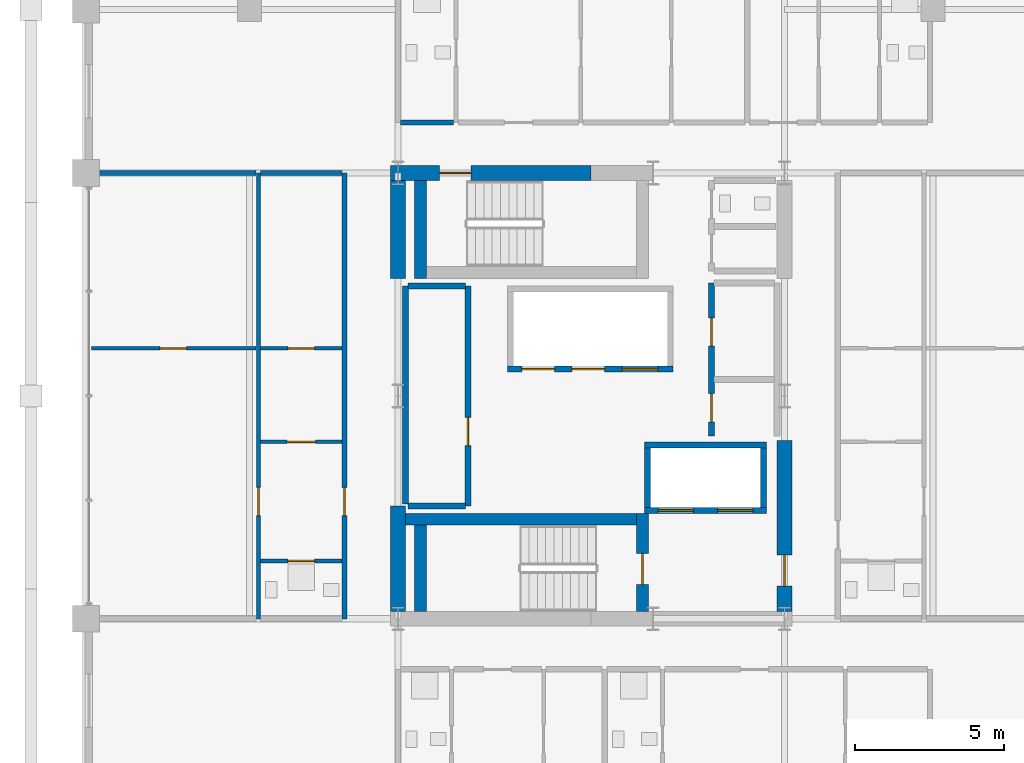
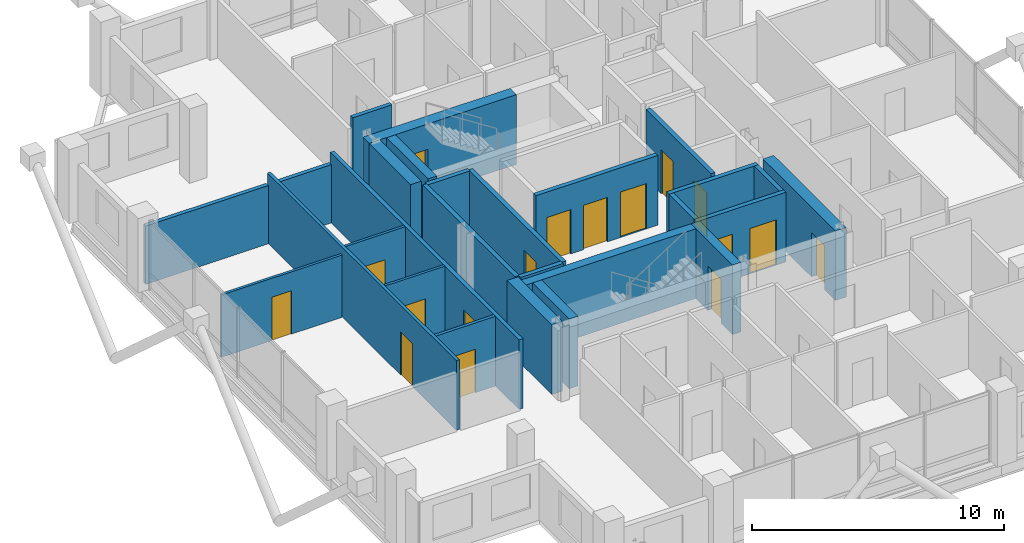
# One storey, part 19 of 24: 27 walls, 17 doors, 17 openings.
"""IFC4 building model written with IfcOpenShell, lengths in metres."""

import ifcopenshell
import ifcopenshell.guid

model = None  # the IFC model being written
_history = None  # IfcOwnerHistory: only IFC2X3 demands one
_inside = {}  # id of a spatial element -> (the spatial element, [elements in it])
_under = {}  # id of a project, library or spatial element -> (it, [spatial elements below it])
_declared = {}  # id of a project -> (the project, [libraries it declares])
_typed = {}  # id of a type object -> (the type object, [elements of that type])
_made_of = {}  # id of a material, layer set ... -> (it, [elements and type objects made of it])


def new_model(schema):
    """Start an empty IFC model of exactly this schema.

    Asked for "IFC4X3", IfcOpenShell would pick the latest addendum, in which some entities
    have other attributes; the version numbers below select the first issue.
    IFC2X3 requires an IfcOwnerHistory on every rooted entity: one is made here for all.
    """
    global model, _history
    if schema == "IFC4X3":
        model = ifcopenshell.file(schema_version=(4, 3, 0, 0))
    else:
        model = ifcopenshell.file(schema=schema)
    _inside.clear()
    _under.clear()
    _declared.clear()
    _typed.clear()
    _made_of.clear()
    _history = None
    if model.schema == "IFC2X3":
        org = make("IfcOrganization", Name="unknown")
        user = make(
            "IfcPersonAndOrganization",
            ThePerson=make("IfcPerson", FamilyName="unknown"),
            TheOrganization=org,
        )
        app = make(
            "IfcApplication",
            ApplicationDeveloper=org,
            Version="unknown",
            ApplicationFullName="unknown",
            ApplicationIdentifier="unknown",
        )
        _history = make(
            "IfcOwnerHistory",
            OwningUser=user,
            OwningApplication=app,
            ChangeAction="ADDED",
            CreationDate=0,
        )
    return model


def make(cls, **values):
    """One entity of the class cls with the attributes given. An attribute that is None is left unset."""
    return model.create_entity(
        cls, **{name: value for name, value in values.items() if value is not None}
    )


def rooted(cls, **values):
    """An entity with a GlobalId (a new one), such as an element, a storey or a relation."""
    return make(cls, GlobalId=ifcopenshell.guid.new(), OwnerHistory=_history, **values)


def si_unit(unit_type, name, prefix=None):
    """IfcSIUnit, for example si_unit("LENGTHUNIT", "METRE", prefix="MILLI")."""
    return make("IfcSIUnit", UnitType=unit_type, Prefix=prefix, Name=name)


def assignment(units):
    """IfcUnitAssignment: the units of a project."""
    return None if units is None else make("IfcUnitAssignment", Units=units)


def point(xyz):
    """IfcCartesianPoint."""
    return None if xyz is None else make("IfcCartesianPoint", Coordinates=xyz)


def direction(xyz):
    """IfcDirection."""
    return None if xyz is None else make("IfcDirection", DirectionRatios=xyz)


def frame(location, z_axis=None, x_axis=None):
    """IfcAxis2Placement3D, a coordinate frame: its origin and axes. An axis left out is left unset."""
    return make(
        "IfcAxis2Placement3D",
        Location=point(location),
        Axis=direction(z_axis),
        RefDirection=direction(x_axis),
    )


def frame_2d(location, x_axis=None):
    """IfcAxis2Placement2D, a coordinate frame in the plane: its origin and x axis."""
    return make(
        "IfcAxis2Placement2D", Location=point(location), RefDirection=direction(x_axis)
    )


def origin():
    """The frame at (0, 0, 0) with its axes left unset."""
    return frame((0.0, 0.0, 0.0))


def place(relative_to, where):
    """IfcLocalPlacement: puts the frame where relative to a parent placement (None: the world)."""
    return make(
        "IfcLocalPlacement", PlacementRelTo=relative_to, RelativePlacement=where
    )


def context(
    kind, dimensions, precision=None, world=None, true_north=None, identifier=None
):
    """IfcGeometricRepresentationContext, for example the 3D "Model" context."""
    return make(
        "IfcGeometricRepresentationContext",
        ContextIdentifier=identifier,
        ContextType=kind,
        CoordinateSpaceDimension=dimensions,
        Precision=precision,
        WorldCoordinateSystem=world,
        TrueNorth=true_north,
    )


def subcontext(parent, identifier, kind, view, scale=None):
    """IfcGeometricRepresentationSubContext, for example "Body" below "Model"."""
    return make(
        "IfcGeometricRepresentationSubContext",
        ContextIdentifier=identifier,
        ContextType=kind,
        ParentContext=parent,
        TargetScale=scale,
        TargetView=view,
    )


def project(units=None, contexts=None):
    """IfcProject with its units and contexts."""
    return rooted(
        "IfcProject",
        Name="project",
        RepresentationContexts=contexts,
        UnitsInContext=assignment(units),
    )


def spatial(cls, under=None, at=None, **own):
    """A site, building, storey or space (cls), placed at a placement, below another one or the project."""
    s = rooted(cls, ObjectPlacement=at, **own)
    if under is not None:
        _under.setdefault(under.id(), (under, []))[1].append(s)
    return s


def profile(cls, at=None, kind="AREA", **sizes):
    """A parametric profile (cls). Its sizes go by their IFC names, for example OverallWidth=200.0."""
    return make(cls, ProfileType=kind, Position=at, **sizes)


def rectangle(**sizes):
    """IfcRectangleProfileDef."""
    return profile("IfcRectangleProfileDef", **sizes)


def extrude(swept, where, along, depth):
    """IfcExtrudedAreaSolid: the profile swept, set in the frame where, extruded along a direction by depth."""
    return make(
        "IfcExtrudedAreaSolid",
        SweptArea=swept,
        Position=where,
        ExtrudedDirection=direction(along),
        Depth=depth,
    )


def shape(context_of_items, identifier, shape_type, items):
    """IfcShapeRepresentation: the items that make up one representation, for example the "Body"."""
    return make(
        "IfcShapeRepresentation",
        ContextOfItems=context_of_items,
        RepresentationIdentifier=identifier,
        RepresentationType=shape_type,
        Items=items,
    )


def material(Name=None, Category=None):
    """IfcMaterial."""
    return make("IfcMaterial", Name=Name, Category=Category)


def layer(
    of_material, thickness, ventilated=None, Name=None, Category=None, Priority=None
):
    """IfcMaterialLayer: one layer of a wall or slab, of a material (None: an air gap)."""
    return make(
        "IfcMaterialLayer",
        Material=of_material,
        LayerThickness=thickness,
        IsVentilated=ventilated,
        Name=Name,
        Category=Category,
        Priority=Priority,
    )


def layer_set(layers, Name=None):
    """IfcMaterialLayerSet."""
    return make("IfcMaterialLayerSet", MaterialLayers=layers, LayerSetName=Name)


def made_of(thing, what):
    """Note that an element or type object is made of a material, layer set ...; save() writes the relation."""
    if what is not None:
        _made_of.setdefault(what.id(), (what, []))[1].append(thing)
    return thing


def type_object(cls, material=None, **own):
    """A type object (cls), such as IfcWallType, which elements share."""
    return made_of(rooted(cls, **own), material)


def element(
    cls,
    number,
    at=None,
    inside=None,
    cuts=None,
    type_object=None,
    material=None,
    context=None,
    identifier="Body",
    shape_type=None,
    held_by="IfcProductDefinitionShape",
    body=None,
    shapes=None,
    **own,
):
    """One element of the class cls, such as IfcWall. Its Tag is "e" and its number.

    at: its placement. inside: the storey or other place that contains it. cuts: it is an
    opening in that element (IfcRelVoidsElement). A single representation is given by context,
    identifier, shape_type and body (its items); several are given by shapes. held_by: the class
    of the entity that holds the representations. save() writes the other relations.
    """
    e = rooted(cls, Tag="e%d" % number, ObjectPlacement=at, **own)
    if body is not None:
        shapes = [shape(context, identifier, shape_type, body)]
    if shapes is not None:
        e.Representation = make(held_by, Representations=shapes)
    if inside is not None:
        _inside.setdefault(inside.id(), (inside, []))[1].append(e)
    if cuts is not None:
        rooted(
            "IfcRelVoidsElement", RelatingBuildingElement=cuts, RelatedOpeningElement=e
        )
    if type_object is not None:
        _typed.setdefault(type_object.id(), (type_object, []))[1].append(e)
    return made_of(e, material)


def fill(opening, filler):
    """IfcRelFillsElement: the door or window that sits in an opening."""
    return rooted(
        "IfcRelFillsElement",
        RelatingOpeningElement=opening,
        RelatedBuildingElement=filler,
    )


def aggregate(whole, parts):
    """IfcRelAggregates: a whole, such as a stair, and the parts it consists of."""
    return rooted("IfcRelAggregates", RelatingObject=whole, RelatedObjects=parts)


def save(model, path):
    """Write the relations noted so far, then the file.

    IfcRelAggregates (storeys below a building ...), IfcRelContainedInSpatialStructure (elements
    in a storey), IfcRelDefinesByType, IfcRelAssociatesMaterial and IfcRelDeclares: one each for
    every whole, place, type object, material and project.
    """
    for whole, parts in _under.values():
        aggregate(whole, parts)
    for where, things in _inside.values():
        rooted(
            "IfcRelContainedInSpatialStructure",
            RelatedElements=things,
            RelatingStructure=where,
        )
    for kind, things in _typed.values():
        rooted("IfcRelDefinesByType", RelatedObjects=things, RelatingType=kind)
    for what, things in _made_of.values():
        rooted("IfcRelAssociatesMaterial", RelatedObjects=things, RelatingMaterial=what)
    for by, libraries in _declared.values():
        rooted("IfcRelDeclares", RelatingContext=by, RelatedDefinitions=libraries)
    model.write(path)


model = new_model("IFC4")

# Units and contexts
model_context = context("Model", 3, precision=1e-05, world=origin(), true_north=direction((0.0, 1.0)))
body_context = subcontext(model_context, "Body", "Model", "MODEL_VIEW")
ifc_project = project(units=[si_unit("LENGTHUNIT", "METRE"), si_unit("AREAUNIT", "SQUARE_METRE"), si_unit("VOLUMEUNIT", "CUBIC_METRE"), si_unit("PLANEANGLEUNIT", "RADIAN"), si_unit("MASSUNIT", "GRAM", prefix="KILO")], contexts=[model_context])

# Site, building, storey
site_placement = place(None, origin())
site = spatial("IfcSite", under=ifc_project, at=site_placement, CompositionType="ELEMENT")
building_placement = place(site_placement, origin())
building = spatial("IfcBuilding", under=site, at=building_placement, Name="Barlavira Tower and Art Museum", CompositionType="ELEMENT")
storey_placement = place(building_placement, frame((0.0, 0.0, 225.89990234375)))
storey = spatial("IfcBuildingStorey", under=building, at=storey_placement, Name="L58", CompositionType="ELEMENT", Elevation=225.89990234375)

# Wall, opening, door
ifc_material_1 = material(Name="Gypsum acoustic stud partition", Category="gypsum")
ifc_layer_1 = layer(ifc_material_1, 0.1201171875, Name="Gypsum acoustic stud partition")
ifc_layer_set_1 = layer_set([ifc_layer_1], Name="Gypsum acoustic stud partition")
wall_type_1 = type_object("IfcWallType", Name="Apartment Internal Acoustic Partition 120", PredefinedType="PARTITIONING", material=ifc_layer_set_1)
wall_1_placement = place(storey_placement, frame((-11.1201171875, -1.550048828125, 0.0), z_axis=(0.0, 0.0, 1.0), x_axis=(1.0, 0.0, 0.0)))
wall_1 = element("IfcWall", 1, at=wall_1_placement, inside=storey, type_object=wall_type_1, Name="L58 Partition Wall 51", PredefinedType="PARTITIONING", context=body_context, shape_type="SweptSolid", body=[
    extrude(rectangle(XDim=2.740234375, YDim=0.1201171875, at=frame_2d((1.3701171875, 0.0))), origin(), (0.0, 0.0, 1.0), 3.380126953125),
])
opening_1_placement = place(wall_1_placement, frame((0.885009765625, 0.0, 0.0)))
opening_1 = element("IfcOpeningElement", 2, at=opening_1_placement, cuts=wall_1, Name="Opening D-02", PredefinedType="OPENING", context=body_context, shape_type="SweptSolid", body=[
    extrude(rectangle(XDim=0.949951171875, YDim=2.10009765625, at=frame_2d((0.47509765625, 1.050048828125))), frame((0.0, 0.070068359375, 0.0), z_axis=(0.0, -1.0, 0.0), x_axis=(1.0, 0.0, 0.0)), (0.0, 0.0, 1.0), 0.14013671875),
])
ifc_material_2 = material(Name="Engineered coastal hardwood", Category="wood")
door_type_1 = type_object("IfcDoorType", Name="Living and Salon Glazed-Leaf Door 950x2100", OperationType="NOTDEFINED", PredefinedType="DOOR", material=ifc_material_2)
door_1_placement = place(opening_1_placement, origin())
door_1 = element("IfcDoor", 3, at=door_1_placement, inside=storey, type_object=door_type_1, Name="Apartment W1 Kitchen Door", OperationType="SINGLE_SWING_LEFT", OverallHeight=2.10009765625, OverallWidth=0.949951171875, PredefinedType="DOOR", context=body_context, shape_type="SweptSolid", body=[
    extrude(rectangle(XDim=0.949951171875, YDim=2.10009765625, at=frame_2d((0.47509765625, 1.050048828125))), frame((0.0, 0.02490234375, 0.0), z_axis=(0.0, -1.0, 0.0), x_axis=(1.0, 0.0, 0.0)), (0.0, 0.0, 1.0), 0.050048828125),
])
fill(opening_1, door_1)

wall_2_placement = place(storey_placement, frame((-16.820068359375, 1.60009765625, 0.0), z_axis=(0.0, 0.0, 1.0), x_axis=(1.0, 0.0, 0.0)))
wall_2 = element("IfcWall", 4, at=wall_2_placement, inside=storey, type_object=wall_type_1, Name="L58 Partition Wall 54", PredefinedType="PARTITIONING", context=body_context, shape_type="SweptSolid", body=[
    extrude(rectangle(XDim=5.5400390625, YDim=0.1201171875, at=frame_2d((2.77001953125, 0.0))), origin(), (0.0, 0.0, 1.0), 3.01806640625),
])
opening_2_placement = place(wall_2_placement, frame((2.31005859375, 0.0, 0.0)))
opening_2 = element("IfcOpeningElement", 5, at=opening_2_placement, cuts=wall_2, Name="Opening D-01", PredefinedType="OPENING", context=body_context, shape_type="SweptSolid", body=[
    extrude(rectangle(XDim=0.89990234375, YDim=2.10009765625, at=frame_2d((0.449951171875, 1.050048828125))), frame((0.0, 0.070068359375, 0.0), z_axis=(0.0, -1.0, 0.0), x_axis=(1.0, 0.0, 0.0)), (0.0, 0.0, 1.0), 0.14013671875),
])
door_type_2 = type_object("IfcDoorType", Name="Internal Bedroom Timber Flush Door 900x2100", OperationType="NOTDEFINED", PredefinedType="DOOR", material=ifc_material_2)
door_2_placement = place(opening_2_placement, origin())
door_2 = element("IfcDoor", 6, at=door_2_placement, inside=storey, type_object=door_type_2, Name="Apartment W1 Bedroom 1 Door", OperationType="SINGLE_SWING_RIGHT", OverallHeight=2.10009765625, OverallWidth=0.89990234375, PredefinedType="DOOR", context=body_context, shape_type="SweptSolid", body=[
    extrude(rectangle(XDim=0.89990234375, YDim=2.10009765625, at=frame_2d((0.449951171875, 1.050048828125))), frame((0.0, 0.02490234375, 0.0), z_axis=(0.0, -1.0, 0.0), x_axis=(1.0, 0.0, 0.0)), (0.0, 0.0, 1.0), 0.050048828125),
])
fill(opening_2, door_2)

wall_3_placement = place(storey_placement, frame((-11.1201171875, 1.60009765625, 0.0), z_axis=(0.0, 0.0, 1.0), x_axis=(1.0, 0.0, 0.0)))
wall_3 = element("IfcWall", 7, at=wall_3_placement, inside=storey, type_object=wall_type_1, Name="L58 Partition Wall 55", PredefinedType="PARTITIONING", context=body_context, shape_type="SweptSolid", body=[
    extrude(rectangle(XDim=2.740234375, YDim=0.1201171875, at=frame_2d((1.3701171875, 0.0))), origin(), (0.0, 0.0, 1.0), 3.380126953125),
])
opening_3_placement = place(wall_3_placement, frame((0.909912109375, 0.0, 0.0)))
opening_3 = element("IfcOpeningElement", 8, at=opening_3_placement, cuts=wall_3, Name="Opening D-01", PredefinedType="OPENING", context=body_context, shape_type="SweptSolid", body=[
    extrude(rectangle(XDim=0.89990234375, YDim=2.10009765625, at=frame_2d((0.449951171875, 1.050048828125))), frame((0.0, 0.070068359375, 0.0), z_axis=(0.0, -1.0, 0.0), x_axis=(1.0, 0.0, 0.0)), (0.0, 0.0, 1.0), 0.14013671875),
])
door_3_placement = place(opening_3_placement, origin())
door_3 = element("IfcDoor", 9, at=door_3_placement, inside=storey, type_object=door_type_2, Name="Apartment W1 Walk-In Dressing Room Door", OperationType="SINGLE_SWING_RIGHT", OverallHeight=2.10009765625, OverallWidth=0.89990234375, PredefinedType="DOOR", context=body_context, shape_type="SweptSolid", body=[
    extrude(rectangle(XDim=0.89990234375, YDim=2.10009765625, at=frame_2d((0.449951171875, 1.050048828125))), frame((0.0, 0.02490234375, 0.0), z_axis=(0.0, -1.0, 0.0), x_axis=(1.0, 0.0, 0.0)), (0.0, 0.0, 1.0), 0.050048828125),
])
fill(opening_3, door_3)

ifc_material_3 = material(Name="Concrete C60", Category="concrete")
ifc_layer_2 = layer(ifc_material_3, 0.5, Name="Concrete C60")
ifc_layer_set_2 = layer_set([ifc_layer_2], Name="Concrete C60")
wall_type_2 = type_object("IfcWallType", Name="Core Structural Shear Wall 500 Concrete C60", PredefinedType="SHEAR", material=ifc_layer_set_2)
wall_4_placement = place(storey_placement, frame((-6.75, 7.5, 0.0), z_axis=(0.0, 0.0, 1.0), x_axis=(1.0, 0.0, 0.0)))
wall_4 = element("IfcWall", 10, at=wall_4_placement, inside=storey, type_object=wall_type_2, Name="L58 Core Shear Wall CS-NW", PredefinedType="SHEAR", context=body_context, shape_type="SweptSolid", body=[
    extrude(rectangle(XDim=6.75, YDim=0.5, at=frame_2d((3.375, 0.0))), origin(), (0.0, 0.0, 1.0), 3.380126953125),
])
opening_4_placement = place(wall_4_placement, frame((1.64990234375, 0.0, 0.0)))
opening_4 = element("IfcOpeningElement", 11, at=opening_4_placement, cuts=wall_4, Name="Opening FD-90", PredefinedType="OPENING", context=body_context, shape_type="SweptSolid", body=[
    extrude(rectangle(XDim=1.050048828125, YDim=2.14990234375, at=frame_2d((0.52490234375, 1.074951171875))), frame((0.0, 0.260009765625, 0.0), z_axis=(0.0, -1.0, 0.0), x_axis=(1.0, 0.0, 0.0)), (0.0, 0.0, 1.0), 0.52001953125),
])
ifc_material_4 = material(Name="Brushed stainless steel", Category="steel")
door_type_3 = type_object("IfcDoorType", Name="Stair and Refuge Fire Door 1050x2150 FD90S", OperationType="NOTDEFINED", PredefinedType="DOOR", material=ifc_material_4)
door_4_placement = place(opening_4_placement, origin())
door_4 = element("IfcDoor", 12, at=door_4_placement, inside=storey, type_object=door_type_3, Name="L58 Stair ST-T2 Fire Door", OperationType="SINGLE_SWING_LEFT", OverallHeight=2.14990234375, OverallWidth=1.050048828125, PredefinedType="DOOR", context=body_context, shape_type="SweptSolid", body=[
    extrude(rectangle(XDim=1.050048828125, YDim=2.14990234375, at=frame_2d((0.52490234375, 1.074951171875))), frame((0.0, 0.02490234375, 0.0), z_axis=(0.0, -1.0, 0.0), x_axis=(1.0, 0.0, 0.0)), (0.0, 0.0, 1.0), 0.050048828125),
])
fill(opening_4, door_4)

# Walls
wall_5_placement = place(storey_placement, frame((-6.5, -7.25, 0.0), z_axis=(0.0, 0.0, 1.0), x_axis=(0.0, 1.0, 0.0)))
element("IfcWall", 13, at=wall_5_placement, inside=storey, type_object=wall_type_2, Name="L58 Core Shear Wall CS-W1", PredefinedType="SHEAR", context=body_context, shape_type="SweptSolid", body=[
    extrude(rectangle(XDim=3.550048828125, YDim=0.5, at=frame_2d((1.77490234375, 0.0))), origin(), (0.0, 0.0, 1.0), 3.380126953125),
])
wall_6_placement = place(storey_placement, frame((-6.5, 3.949951171875, 0.0), z_axis=(0.0, 0.0, 1.0), x_axis=(0.0, 1.0, 0.0)))
element("IfcWall", 14, at=wall_6_placement, inside=storey, type_object=wall_type_2, Name="L58 Core Shear Wall CS-W2", PredefinedType="SHEAR", context=body_context, shape_type="SweptSolid", body=[
    extrude(rectangle(XDim=3.300048828125, YDim=0.5, at=frame_2d((1.64990234375, 0.0))), origin(), (0.0, 0.0, 1.0), 3.380126953125),
])

# Wall, opening, door
wall_7_placement = place(storey_placement, frame((6.5, -7.25, 0.0), z_axis=(0.0, 0.0, 1.0), x_axis=(0.0, 1.0, 0.0)))
wall_7 = element("IfcWall", 15, at=wall_7_placement, inside=storey, type_object=wall_type_2, Name="L58 Core Shear Wall CS-E1", PredefinedType="SHEAR", context=body_context, shape_type="SweptSolid", body=[
    extrude(rectangle(XDim=5.75, YDim=0.5, at=frame_2d((2.875, 0.0))), origin(), (0.0, 0.0, 1.0), 3.380126953125),
])
opening_5_placement = place(wall_7_placement, frame((0.85009765625, 0.0, 0.0)))
opening_5 = element("IfcOpeningElement", 16, at=opening_5_placement, cuts=wall_7, Name="Opening FD-90", PredefinedType="OPENING", context=body_context, shape_type="SweptSolid", body=[
    extrude(rectangle(XDim=1.050048828125, YDim=2.14990234375, at=frame_2d((0.52490234375, 1.074951171875))), frame((0.0, 0.260009765625, 0.0), z_axis=(0.0, -1.0, 0.0), x_axis=(1.0, 0.0, 0.0)), (0.0, 0.0, 1.0), 0.52001953125),
])
door_5_placement = place(opening_5_placement, origin())
door_5 = element("IfcDoor", 17, at=door_5_placement, inside=storey, type_object=door_type_3, Name="L58 Firefighting Lobby Entry Fire Door", OperationType="SINGLE_SWING_LEFT", OverallHeight=2.14990234375, OverallWidth=1.050048828125, PredefinedType="DOOR", context=body_context, shape_type="SweptSolid", body=[
    extrude(rectangle(XDim=1.050048828125, YDim=2.14990234375, at=frame_2d((0.52490234375, 1.074951171875))), frame((0.0, 0.02490234375, 0.0), z_axis=(0.0, -1.0, 0.0), x_axis=(1.0, 0.0, 0.0)), (0.0, 0.0, 1.0), 0.050048828125),
])
fill(opening_5, door_5)

# Wall, openings, doors
ifc_material_5 = material(Name="Autoclaved aerated concrete masonry", Category="masonry")
ifc_layer_3 = layer(ifc_material_5, 0.199951171875, Name="Autoclaved aerated concrete masonry")
ifc_layer_set_3 = layer_set([ifc_layer_3], Name="Autoclaved aerated concrete masonry")
wall_type_3 = type_object("IfcWallType", Name="Fire Compartment and Shaft Wall 200", PredefinedType="SOLIDWALL", material=ifc_layer_set_3)
wall_8_placement = place(storey_placement, frame((-2.820068359375, 0.89990234375, 0.0), z_axis=(0.0, 0.0, 1.0), x_axis=(1.0, 0.0, 0.0)))
wall_8 = element("IfcWall", 18, at=wall_8_placement, inside=storey, type_object=wall_type_3, Name="L58 High-Rise & Service Lift Front Wall", PredefinedType="SOLIDWALL", context=body_context, shape_type="SweptSolid", body=[
    extrude(rectangle(XDim=5.580078125, YDim=0.199951171875, at=frame_2d((2.7900390625, 0.0))), origin(), (0.0, 0.0, 1.0), 3.380126953125),
])
opening_6_placement = place(wall_8_placement, frame((0.489990234375, 0.0, 0.0)))
opening_6 = element("IfcOpeningElement", 19, at=opening_6_placement, cuts=wall_8, Name="Opening LD-P", PredefinedType="OPENING", context=body_context, shape_type="SweptSolid", body=[
    extrude(rectangle(XDim=1.10009765625, YDim=2.14990234375, at=frame_2d((0.550048828125, 1.074951171875))), frame((0.0, 0.10986328125, 0.0), z_axis=(0.0, -1.0, 0.0), x_axis=(1.0, 0.0, 0.0)), (0.0, 0.0, 1.0), 0.219970703125),
])
opening_7_placement = place(wall_8_placement, frame((2.169921875, 0.0, 0.0)))
opening_7 = element("IfcOpeningElement", 20, at=opening_7_placement, cuts=wall_8, Name="Opening LD-P", PredefinedType="OPENING", context=body_context, shape_type="SweptSolid", body=[
    extrude(rectangle(XDim=1.10009765625, YDim=2.14990234375, at=frame_2d((0.550048828125, 1.074951171875))), frame((0.0, 0.10986328125, 0.0), z_axis=(0.0, -1.0, 0.0), x_axis=(1.0, 0.0, 0.0)), (0.0, 0.0, 1.0), 0.219970703125),
])
opening_8_placement = place(wall_8_placement, frame((3.860107421875, 0.0, 0.0)))
opening_8 = element("IfcOpeningElement", 21, at=opening_8_placement, cuts=wall_8, Name="Opening LD-F", PredefinedType="OPENING", context=body_context, shape_type="SweptSolid", body=[
    extrude(rectangle(XDim=1.199951171875, YDim=2.199951171875, at=frame_2d((0.60009765625, 1.10009765625))), frame((0.0, 0.10986328125, 0.0), z_axis=(0.0, -1.0, 0.0), x_axis=(1.0, 0.0, 0.0)), (0.0, 0.0, 1.0), 0.219970703125),
])
door_type_4 = type_object("IfcDoorType", Name="Firefighting and Service Lift Sliding Door 1200x2200 FD120", OperationType="NOTDEFINED", PredefinedType="DOOR", material=ifc_material_4)
door_6_placement = place(opening_8_placement, origin())
door_6 = element("IfcDoor", 22, at=door_6_placement, inside=storey, type_object=door_type_4, Name="L58 Stretcher Service Lift SL1 Sliding Door", OperationType="DOUBLE_DOOR_SLIDING", OverallHeight=2.199951171875, OverallWidth=1.199951171875, PredefinedType="DOOR", context=body_context, shape_type="SweptSolid", body=[
    extrude(rectangle(XDim=1.199951171875, YDim=2.199951171875, at=frame_2d((0.60009765625, 1.10009765625))), frame((0.0, 0.02490234375, 0.0), z_axis=(0.0, -1.0, 0.0), x_axis=(1.0, 0.0, 0.0)), (0.0, 0.0, 1.0), 0.050048828125),
])
fill(opening_8, door_6)
door_type_5 = type_object("IfcDoorType", Name="Passenger Lift Sliding Landing Door 1100x2150 FD60", OperationType="NOTDEFINED", PredefinedType="DOOR", material=ifc_material_4)
door_7_placement = place(opening_6_placement, origin())
door_7 = element("IfcDoor", 23, at=door_7_placement, inside=storey, type_object=door_type_5, Name="L58 Lift PH1 Sliding Landing Door", OperationType="DOUBLE_DOOR_SLIDING", OverallHeight=2.14990234375, OverallWidth=1.10009765625, PredefinedType="DOOR", context=body_context, shape_type="SweptSolid", body=[
    extrude(rectangle(XDim=1.10009765625, YDim=2.14990234375, at=frame_2d((0.550048828125, 1.074951171875))), frame((0.0, 0.02490234375, 0.0), z_axis=(0.0, -1.0, 0.0), x_axis=(1.0, 0.0, 0.0)), (0.0, 0.0, 1.0), 0.050048828125),
])
fill(opening_6, door_7)
door_8_placement = place(opening_7_placement, origin())
door_8 = element("IfcDoor", 24, at=door_8_placement, inside=storey, type_object=door_type_5, Name="L58 Lift PH2 Sliding Landing Door", OperationType="DOUBLE_DOOR_SLIDING", OverallHeight=2.14990234375, OverallWidth=1.10009765625, PredefinedType="DOOR", context=body_context, shape_type="SweptSolid", body=[
    extrude(rectangle(XDim=1.10009765625, YDim=2.14990234375, at=frame_2d((0.550048828125, 1.074951171875))), frame((0.0, 0.02490234375, 0.0), z_axis=(0.0, -1.0, 0.0), x_axis=(1.0, 0.0, 0.0)), (0.0, 0.0, 1.0), 0.050048828125),
])
fill(opening_7, door_8)

wall_9_placement = place(storey_placement, frame((1.800048828125, -3.85009765625, 0.0), z_axis=(0.0, 0.0, 1.0), x_axis=(1.0, 0.0, 0.0)))
wall_9 = element("IfcWall", 25, at=wall_9_placement, inside=storey, type_object=wall_type_3, Name="L58 Firefighting Lift Front Shaft Wall", PredefinedType="SOLIDWALL", context=body_context, shape_type="SweptSolid", body=[
    extrude(rectangle(XDim=4.099853515625, YDim=0.199951171875, at=frame_2d((2.0498046875, 0.0))), origin(), (0.0, 0.0, 1.0), 3.380126953125),
])
opening_9_placement = place(wall_9_placement, frame((0.449951171875, 0.0, 0.0)))
opening_9 = element("IfcOpeningElement", 26, at=opening_9_placement, cuts=wall_9, Name="Opening LD-F", PredefinedType="OPENING", context=body_context, shape_type="SweptSolid", body=[
    extrude(rectangle(XDim=1.199951171875, YDim=2.199951171875, at=frame_2d((0.60009765625, 1.10009765625))), frame((0.0, 0.10986328125, 0.0), z_axis=(0.0, -1.0, 0.0), x_axis=(1.0, 0.0, 0.0)), (0.0, 0.0, 1.0), 0.219970703125),
])
opening_10_placement = place(wall_9_placement, frame((2.449951171875, 0.0, 0.0)))
opening_10 = element("IfcOpeningElement", 27, at=opening_10_placement, cuts=wall_9, Name="Opening LD-F", PredefinedType="OPENING", context=body_context, shape_type="SweptSolid", body=[
    extrude(rectangle(XDim=1.199951171875, YDim=2.199951171875, at=frame_2d((0.60009765625, 1.10009765625))), frame((0.0, 0.10986328125, 0.0), z_axis=(0.0, -1.0, 0.0), x_axis=(1.0, 0.0, 0.0)), (0.0, 0.0, 1.0), 0.219970703125),
])
door_9_placement = place(opening_9_placement, origin())
door_9 = element("IfcDoor", 28, at=door_9_placement, inside=storey, type_object=door_type_4, Name="L58 Firefighting Lift FF1 Sliding Door", OperationType="DOUBLE_DOOR_SLIDING", OverallHeight=2.199951171875, OverallWidth=1.199951171875, PredefinedType="DOOR", context=body_context, shape_type="SweptSolid", body=[
    extrude(rectangle(XDim=1.199951171875, YDim=2.199951171875, at=frame_2d((0.60009765625, 1.10009765625))), frame((0.0, 0.02490234375, 0.0), z_axis=(0.0, -1.0, 0.0), x_axis=(1.0, 0.0, 0.0)), (0.0, 0.0, 1.0), 0.050048828125),
])
fill(opening_9, door_9)
door_10_placement = place(opening_10_placement, origin())
door_10 = element("IfcDoor", 29, at=door_10_placement, inside=storey, type_object=door_type_4, Name="L58 Firefighting Lift FF2 Sliding Door", OperationType="DOUBLE_DOOR_SLIDING", OverallHeight=2.199951171875, OverallWidth=1.199951171875, PredefinedType="DOOR", context=body_context, shape_type="SweptSolid", body=[
    extrude(rectangle(XDim=1.199951171875, YDim=2.199951171875, at=frame_2d((0.60009765625, 1.10009765625))), frame((0.0, 0.02490234375, 0.0), z_axis=(0.0, -1.0, 0.0), x_axis=(1.0, 0.0, 0.0)), (0.0, 0.0, 1.0), 0.050048828125),
])
fill(opening_10, door_10)

# Walls
wall_10_placement = place(storey_placement, frame((1.800048828125, -1.64990234375, 0.0), z_axis=(0.0, 0.0, 1.0), x_axis=(1.0, 0.0, 0.0)))
element("IfcWall", 30, at=wall_10_placement, inside=storey, type_object=wall_type_3, Name="L58 Firefighting Lift Back Shaft Wall", PredefinedType="SOLIDWALL", context=body_context, shape_type="SweptSolid", body=[
    extrude(rectangle(XDim=4.099853515625, YDim=0.199951171875, at=frame_2d((2.0498046875, 0.0))), origin(), (0.0, 0.0, 1.0), 3.380126953125),
])
for number, where, z_axis, x_axis, name in (
    (31, (1.89990234375, -3.75, 0.0), (0.0, 0.0, 1.0), (0.0, 1.0, 0.0), "L58 Firefighting Lift West Shaft Wall"),
    (32, (5.800048828125, -3.75, 0.0), (0.0, 0.0, 1.0), (0.0, 1.0, 0.0), "L58 Firefighting Lift East Shaft Wall"),
):
    element("IfcWall", number, at=place(storey_placement, frame(where, z_axis=z_axis, x_axis=x_axis)), inside=storey, type_object=wall_type_3, Name=name, PredefinedType="SOLIDWALL", context=body_context, shape_type="SweptSolid", body=[
        extrude(rectangle(XDim=2.0, YDim=0.199951171875, at=frame_2d((1.0, 0.0))), origin(), (0.0, 0.0, 1.0), 3.380126953125),
    ])
wall_11_placement = place(storey_placement, frame((-6.25, -3.639892578125, 0.0), z_axis=(0.0, 0.0, 1.0), x_axis=(0.0, 1.0, 0.0)))
element("IfcWall", 33, at=wall_11_placement, inside=storey, type_object=wall_type_3, Name="L58 Partition Wall 5", PredefinedType="SOLIDWALL", context=body_context, shape_type="SweptSolid", body=[
    extrude(rectangle(XDim=7.33984375, YDim=0.199951171875, at=frame_2d((3.669921875, 0.0))), origin(), (0.0, 0.0, 1.0), 3.380126953125),
])

# Wall, opening, door
wall_12_placement = place(storey_placement, frame((-4.14990234375, -3.699951171875, 0.0), z_axis=(0.0, 0.0, 1.0), x_axis=(0.0, 1.0, 0.0)))
wall_12 = element("IfcWall", 34, at=wall_12_placement, inside=storey, type_object=wall_type_3, Name="L58 Partition Wall 8", PredefinedType="SOLIDWALL", context=body_context, shape_type="SweptSolid", body=[
    extrude(rectangle(XDim=7.39990234375, YDim=0.199951171875, at=frame_2d((3.699951171875, 0.0))), origin(), (0.0, 0.0, 1.0), 3.380126953125),
])
opening_11_placement = place(wall_12_placement, frame((2.02490234375, 0.0, 0.0)))
opening_11 = element("IfcOpeningElement", 35, at=opening_11_placement, cuts=wall_12, Name="Opening FD-60", PredefinedType="OPENING", context=body_context, shape_type="SweptSolid", body=[
    extrude(rectangle(XDim=0.949951171875, YDim=2.14990234375, at=frame_2d((0.47509765625, 1.074951171875))), frame((0.0, 0.10986328125, 0.0), z_axis=(0.0, -1.0, 0.0), x_axis=(1.0, 0.0, 0.0)), (0.0, 0.0, 1.0), 0.219970703125),
])
door_type_6 = type_object("IfcDoorType", Name="Apartment Entrance and Riser Fire Door 950x2150 FD60S", OperationType="NOTDEFINED", PredefinedType="DOOR", material=ifc_material_4)
door_11_placement = place(opening_11_placement, origin())
door_11 = element("IfcDoor", 36, at=door_11_placement, inside=storey, type_object=door_type_6, Name="Reclaimed Core Tenant Storage Vault Door", OperationType="SINGLE_SWING_LEFT", OverallHeight=2.14990234375, OverallWidth=0.949951171875, PredefinedType="DOOR", context=body_context, shape_type="SweptSolid", body=[
    extrude(rectangle(XDim=0.949951171875, YDim=2.14990234375, at=frame_2d((0.47509765625, 1.074951171875))), frame((0.0, 0.02490234375, 0.0), z_axis=(0.0, -1.0, 0.0), x_axis=(1.0, 0.0, 0.0)), (0.0, 0.0, 1.0), 0.050048828125),
])
fill(opening_11, door_11)

# Wall, openings, doors
wall_13_placement = place(storey_placement, frame((4.050048828125, -1.35009765625, 0.0), z_axis=(0.0, 0.0, 1.0), x_axis=(0.0, 1.0, 0.0)))
wall_13 = element("IfcWall", 37, at=wall_13_placement, inside=storey, type_object=wall_type_3, Name="L58 Partition Wall 17", PredefinedType="SOLIDWALL", context=body_context, shape_type="SweptSolid", body=[
    extrude(rectangle(XDim=5.150146484375, YDim=0.199951171875, at=frame_2d((2.5751953125, 0.0))), origin(), (0.0, 0.0, 1.0), 3.380126953125),
])
opening_12_placement = place(wall_13_placement, frame((0.47509765625, 0.0, 0.0)))
opening_12 = element("IfcOpeningElement", 38, at=opening_12_placement, cuts=wall_13, Name="Opening FD-60", PredefinedType="OPENING", context=body_context, shape_type="SweptSolid", body=[
    extrude(rectangle(XDim=0.949951171875, YDim=2.14990234375, at=frame_2d((0.47509765625, 1.074951171875))), frame((0.0, 0.10986328125, 0.0), z_axis=(0.0, -1.0, 0.0), x_axis=(1.0, 0.0, 0.0)), (0.0, 0.0, 1.0), 0.219970703125),
])
opening_13_placement = place(wall_13_placement, frame((3.02490234375, 0.0, 0.0)))
opening_13 = element("IfcOpeningElement", 39, at=opening_13_placement, cuts=wall_13, Name="Opening FD-60", PredefinedType="OPENING", context=body_context, shape_type="SweptSolid", body=[
    extrude(rectangle(XDim=0.949951171875, YDim=2.14990234375, at=frame_2d((0.47509765625, 1.074951171875))), frame((0.0, 0.10986328125, 0.0), z_axis=(0.0, -1.0, 0.0), x_axis=(1.0, 0.0, 0.0)), (0.0, 0.0, 1.0), 0.219970703125),
])
door_12_placement = place(opening_12_placement, origin())
door_12 = element("IfcDoor", 40, at=door_12_placement, inside=storey, type_object=door_type_6, Name="Reclaimed Upper Core Wine Cellar Door", OperationType="SINGLE_SWING_RIGHT", OverallHeight=2.14990234375, OverallWidth=0.949951171875, PredefinedType="DOOR", context=body_context, shape_type="SweptSolid", body=[
    extrude(rectangle(XDim=0.949951171875, YDim=2.14990234375, at=frame_2d((0.47509765625, 1.074951171875))), frame((0.0, 0.02490234375, 0.0), z_axis=(0.0, -1.0, 0.0), x_axis=(1.0, 0.0, 0.0)), (0.0, 0.0, 1.0), 0.050048828125),
])
fill(opening_12, door_12)
door_13_placement = place(opening_13_placement, origin())
door_13 = element("IfcDoor", 41, at=door_13_placement, inside=storey, type_object=door_type_6, Name="Reclaimed Upper Core Linen Store Door", OperationType="SINGLE_SWING_LEFT", OverallHeight=2.14990234375, OverallWidth=0.949951171875, PredefinedType="DOOR", context=body_context, shape_type="SweptSolid", body=[
    extrude(rectangle(XDim=0.949951171875, YDim=2.14990234375, at=frame_2d((0.47509765625, 1.074951171875))), frame((0.0, 0.02490234375, 0.0), z_axis=(0.0, -1.0, 0.0), x_axis=(1.0, 0.0, 0.0)), (0.0, 0.0, 1.0), 0.050048828125),
])
fill(opening_13, door_13)

# Walls
for number, where, z_axis, x_axis, name in (
    (42, (-6.169921875, -3.699951171875, 0.0), (0.0, 0.0, 1.0), (1.0, 0.0, 0.0), "L58 Partition Wall 50"),
    (43, (-6.169921875, 3.699951171875, 0.0), (0.0, 0.0, 1.0), (1.0, 0.0, 0.0), "L58 Partition Wall 58"),
):
    element("IfcWall", number, at=place(storey_placement, frame(where, z_axis=z_axis, x_axis=x_axis)), inside=storey, type_object=wall_type_3, Name=name, PredefinedType="SOLIDWALL", context=body_context, shape_type="SweptSolid", body=[
        extrude(rectangle(XDim=1.93994140625, YDim=0.199951171875, at=frame_2d((0.969970703125, 0.0))), origin(), (0.0, 0.0, 1.0), 3.380126953125),
    ])

# Wall, opening, door
ifc_layer_4 = layer(ifc_material_1, 0.179931640625, Name="Gypsum acoustic stud partition")
ifc_layer_set_4 = layer_set([ifc_layer_4], Name="Gypsum acoustic stud partition")
wall_type_4 = type_object("IfcWallType", Name="Inter-Tenancy Party Partition Wall 180", PredefinedType="PARTITIONING", material=ifc_layer_set_4)
wall_14_placement = place(storey_placement, frame((-8.300048828125, -7.5, 0.0), z_axis=(0.0, 0.0, 1.0), x_axis=(0.0, 1.0, 0.0)))
wall_14 = element("IfcWall", 44, at=wall_14_placement, inside=storey, type_object=wall_type_4, Name="L58 Partition Wall 2", PredefinedType="PARTITIONING", context=body_context, shape_type="SweptSolid", body=[
    extrude(rectangle(XDim=15.0, YDim=0.179931640625, at=frame_2d((7.5, 0.0))), origin(), (0.0, 0.0, 1.0), 3.380126953125),
])
opening_14_placement = place(wall_14_placement, frame((3.47509765625, 0.0, 0.0)))
opening_14 = element("IfcOpeningElement", 45, at=opening_14_placement, cuts=wall_14, Name="Opening FD-60", PredefinedType="OPENING", context=body_context, shape_type="SweptSolid", body=[
    extrude(rectangle(XDim=0.949951171875, YDim=2.14990234375, at=frame_2d((0.47509765625, 1.074951171875))), frame((0.0, 0.10009765625, 0.0), z_axis=(0.0, -1.0, 0.0), x_axis=(1.0, 0.0, 0.0)), (0.0, 0.0, 1.0), 0.199951171875),
])
door_14_placement = place(opening_14_placement, origin())
door_14 = element("IfcDoor", 46, at=door_14_placement, inside=storey, type_object=door_type_6, Name="Apartment Entrance Hall W1 Door", OperationType="SINGLE_SWING_RIGHT", OverallHeight=2.14990234375, OverallWidth=0.949951171875, PredefinedType="DOOR", context=body_context, shape_type="SweptSolid", body=[
    extrude(rectangle(XDim=0.949951171875, YDim=2.14990234375, at=frame_2d((0.47509765625, 1.074951171875))), frame((0.0, 0.02490234375, 0.0), z_axis=(0.0, -1.0, 0.0), x_axis=(1.0, 0.0, 0.0)), (0.0, 0.0, 1.0), 0.050048828125),
])
fill(opening_14, door_14)

# Walls
wall_15_placement = place(storey_placement, frame((-16.89990234375, 7.5, 0.0), z_axis=(0.0, 0.0, 1.0), x_axis=(1.0, 0.0, 0.0)))
element("IfcWall", 47, at=wall_15_placement, inside=storey, type_object=wall_type_4, Name="L58 Partition Wall 63", PredefinedType="PARTITIONING", context=body_context, shape_type="SweptSolid", body=[
    extrude(rectangle(XDim=5.619873046875, YDim=0.179931640625, at=frame_2d((2.81005859375, 0.0))), origin(), (0.0, 0.0, 1.0), 2.826171875),
])
wall_16_placement = place(storey_placement, frame((-11.1201171875, 7.5, 0.0), z_axis=(0.0, 0.0, 1.0), x_axis=(1.0, 0.0, 0.0)))
element("IfcWall", 48, at=wall_16_placement, inside=storey, type_object=wall_type_4, Name="L58 Partition Wall 64", PredefinedType="PARTITIONING", context=body_context, shape_type="SweptSolid", body=[
    extrude(rectangle(XDim=2.740234375, YDim=0.179931640625, at=frame_2d((1.3701171875, 0.0))), origin(), (0.0, 0.0, 1.0), 2.826171875),
])
wall_17_placement = place(storey_placement, frame((-6.419921875, 9.199951171875, 0.0), z_axis=(0.0, 0.0, 1.0), x_axis=(1.0, 0.0, 0.0)))
element("IfcWall", 49, at=wall_17_placement, inside=storey, type_object=wall_type_4, Name="L58 Partition Wall 67", PredefinedType="PARTITIONING", context=body_context, shape_type="SweptSolid", body=[
    extrude(rectangle(XDim=1.7900390625, YDim=0.179931640625, at=frame_2d((0.89501953125, 0.0))), origin(), (0.0, 0.0, 1.0), 3.380126953125),
])

# Wall, opening, door
ifc_layer_5 = layer(ifc_material_1, 0.139892578125, Name="Gypsum acoustic stud partition")
ifc_layer_set_5 = layer_set([ifc_layer_5], Name="Gypsum acoustic stud partition")
wall_type_5 = type_object("IfcWallType", Name="Moisture-Resistant Bathroom Partition 140", PredefinedType="PARTITIONING", material=ifc_layer_set_5)
wall_18_placement = place(storey_placement, frame((-11.199951171875, -7.5, 0.0), z_axis=(0.0, 0.0, 1.0), x_axis=(0.0, 1.0, 0.0)))
wall_18 = element("IfcWall", 50, at=wall_18_placement, inside=storey, type_object=wall_type_5, Name="L58 Partition Wall 1", PredefinedType="PARTITIONING", context=body_context, shape_type="SweptSolid", body=[
    extrude(rectangle(XDim=15.0, YDim=0.139892578125, at=frame_2d((7.5, 0.0))), origin(), (0.0, 0.0, 1.0), 3.380126953125),
])
opening_15_placement = place(wall_18_placement, frame((3.47509765625, 0.0, 0.0)))
opening_15 = element("IfcOpeningElement", 51, at=opening_15_placement, cuts=wall_18, Name="Opening D-02", PredefinedType="OPENING", context=body_context, shape_type="SweptSolid", body=[
    extrude(rectangle(XDim=0.949951171875, YDim=2.10009765625, at=frame_2d((0.47509765625, 1.050048828125))), frame((0.0, 0.080078125, 0.0), z_axis=(0.0, -1.0, 0.0), x_axis=(1.0, 0.0, 0.0)), (0.0, 0.0, 1.0), 0.159912109375),
])
door_15_placement = place(opening_15_placement, origin())
door_15 = element("IfcDoor", 52, at=door_15_placement, inside=storey, type_object=door_type_1, Name="Apartment W1 Living Lounge Door", OperationType="SINGLE_SWING_LEFT", OverallHeight=2.10009765625, OverallWidth=0.949951171875, PredefinedType="DOOR", context=body_context, shape_type="SweptSolid", body=[
    extrude(rectangle(XDim=0.949951171875, YDim=2.10009765625, at=frame_2d((0.47509765625, 1.050048828125))), frame((0.0, 0.02490234375, 0.0), z_axis=(0.0, -1.0, 0.0), x_axis=(1.0, 0.0, 0.0)), (0.0, 0.0, 1.0), 0.050048828125),
])
fill(opening_15, door_15)

wall_19_placement = place(storey_placement, frame((-11.1201171875, -5.550048828125, 0.0), z_axis=(0.0, 0.0, 1.0), x_axis=(1.0, 0.0, 0.0)))
wall_19 = element("IfcWall", 53, at=wall_19_placement, inside=storey, type_object=wall_type_5, Name="L58 Partition Wall 48", PredefinedType="PARTITIONING", context=body_context, shape_type="SweptSolid", body=[
    extrude(rectangle(XDim=2.740234375, YDim=0.139892578125, at=frame_2d((1.3701171875, 0.0))), origin(), (0.0, 0.0, 1.0), 3.380126953125),
])
opening_16_placement = place(wall_19_placement, frame((0.909912109375, 0.0, 0.0)))
opening_16 = element("IfcOpeningElement", 54, at=opening_16_placement, cuts=wall_19, Name="Opening D-WC", PredefinedType="OPENING", context=body_context, shape_type="SweptSolid", body=[
    extrude(rectangle(XDim=0.89990234375, YDim=2.10009765625, at=frame_2d((0.449951171875, 1.050048828125))), frame((0.0, 0.080078125, 0.0), z_axis=(0.0, -1.0, 0.0), x_axis=(1.0, 0.0, 0.0)), (0.0, 0.0, 1.0), 0.159912109375),
])
door_type_7 = type_object("IfcDoorType", Name="Accessible Bathroom Flush Door 900x2100", OperationType="NOTDEFINED", PredefinedType="DOOR", material=ifc_material_2)
door_16_placement = place(opening_16_placement, origin())
door_16 = element("IfcDoor", 55, at=door_16_placement, inside=storey, type_object=door_type_7, Name="Apartment W1 Hall Bathroom Door", OperationType="SINGLE_SWING_LEFT", OverallHeight=2.10009765625, OverallWidth=0.89990234375, PredefinedType="DOOR", context=body_context, shape_type="SweptSolid", body=[
    extrude(rectangle(XDim=0.89990234375, YDim=2.10009765625, at=frame_2d((0.449951171875, 1.050048828125))), frame((0.0, 0.02490234375, 0.0), z_axis=(0.0, -1.0, 0.0), x_axis=(1.0, 0.0, 0.0)), (0.0, 0.0, 1.0), 0.050048828125),
])
fill(opening_16, door_16)

# Walls
ifc_material_6 = material(Name="Concrete C55", Category="concrete")
ifc_layer_6 = layer(ifc_material_6, 0.39990234375, Name="Concrete C55")
ifc_layer_set_6 = layer_set([ifc_layer_6], Name="Concrete C55")
wall_type_6 = type_object("IfcWallType", Name="Upper Core Shear Wall 400 Concrete C55", PredefinedType="SHEAR", material=ifc_layer_set_6)
wall_20_placement = place(storey_placement, frame((-5.75, -7.25, 0.0), z_axis=(0.0, 0.0, 1.0), x_axis=(0.0, 1.0, 0.0)))
element("IfcWall", 56, at=wall_20_placement, inside=storey, type_object=wall_type_6, Name="L58 ST-T1 West Half-Landing Wall", PredefinedType="SHEAR", context=body_context, shape_type="SweptSolid", body=[
    extrude(rectangle(XDim=2.89990234375, YDim=0.39990234375, at=frame_2d((1.449951171875, 0.0))), origin(), (0.0, 0.0, 1.0), 3.380126953125),
])
wall_21_placement = place(storey_placement, frame((-6.25, -4.14990234375, 0.0), z_axis=(0.0, 0.0, 1.0), x_axis=(1.0, 0.0, 0.0)))
element("IfcWall", 57, at=wall_21_placement, inside=storey, type_object=wall_type_6, Name="L58 ST-T1 North Shaft Wall", PredefinedType="SHEAR", context=body_context, shape_type="SweptSolid", body=[
    extrude(rectangle(XDim=7.780029296875, YDim=0.39990234375, at=frame_2d((3.89013671875, 0.0))), origin(), (0.0, 0.0, 1.0), 3.380126953125),
])

# Wall, opening, door
wall_22_placement = place(storey_placement, frame((1.72998046875, -7.25, 0.0), z_axis=(0.0, 0.0, 1.0), x_axis=(0.0, 1.0, 0.0)))
wall_22 = element("IfcWall", 58, at=wall_22_placement, inside=storey, type_object=wall_type_6, Name="L58 ST-T1 East Landing Wall", PredefinedType="SHEAR", context=body_context, shape_type="SweptSolid", body=[
    extrude(rectangle(XDim=3.300048828125, YDim=0.39990234375, at=frame_2d((1.64990234375, 0.0))), origin(), (0.0, 0.0, 1.0), 3.380126953125),
])
opening_17_placement = place(wall_22_placement, frame((0.89990234375, 0.0, 0.0)))
opening_17 = element("IfcOpeningElement", 59, at=opening_17_placement, cuts=wall_22, Name="Opening FD-90", PredefinedType="OPENING", context=body_context, shape_type="SweptSolid", body=[
    extrude(rectangle(XDim=1.050048828125, YDim=2.14990234375, at=frame_2d((0.52490234375, 1.074951171875))), frame((0.0, 0.2099609375, 0.0), z_axis=(0.0, -1.0, 0.0), x_axis=(1.0, 0.0, 0.0)), (0.0, 0.0, 1.0), 0.419921875),
])
door_17_placement = place(opening_17_placement, origin())
door_17 = element("IfcDoor", 60, at=door_17_placement, inside=storey, type_object=door_type_3, Name="L58 Stair ST-T1 Fire Door", OperationType="SINGLE_SWING_RIGHT", OverallHeight=2.14990234375, OverallWidth=1.050048828125, PredefinedType="DOOR", context=body_context, shape_type="SweptSolid", body=[
    extrude(rectangle(XDim=1.050048828125, YDim=2.14990234375, at=frame_2d((0.52490234375, 1.074951171875))), frame((0.0, 0.02490234375, 0.0), z_axis=(0.0, -1.0, 0.0), x_axis=(1.0, 0.0, 0.0)), (0.0, 0.0, 1.0), 0.050048828125),
])
fill(opening_17, door_17)

# Wall
wall_23_placement = place(storey_placement, frame((-5.75, 3.949951171875, 0.0), z_axis=(0.0, 0.0, 1.0), x_axis=(0.0, 1.0, 0.0)))
element("IfcWall", 61, at=wall_23_placement, inside=storey, type_object=wall_type_6, Name="L58 ST-T2 West Shaft Wall", PredefinedType="SHEAR", context=body_context, shape_type="SweptSolid", body=[
    extrude(rectangle(XDim=3.300048828125, YDim=0.39990234375, at=frame_2d((1.64990234375, 0.0))), origin(), (0.0, 0.0, 1.0), 3.380126953125),
])

save(model, "model.ifc")
